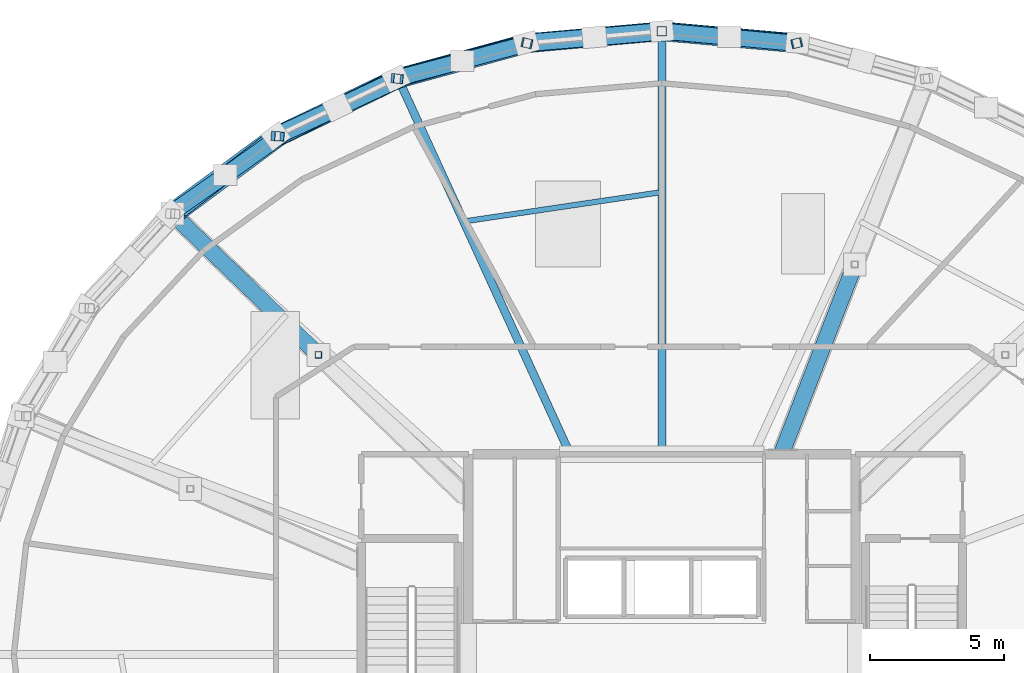
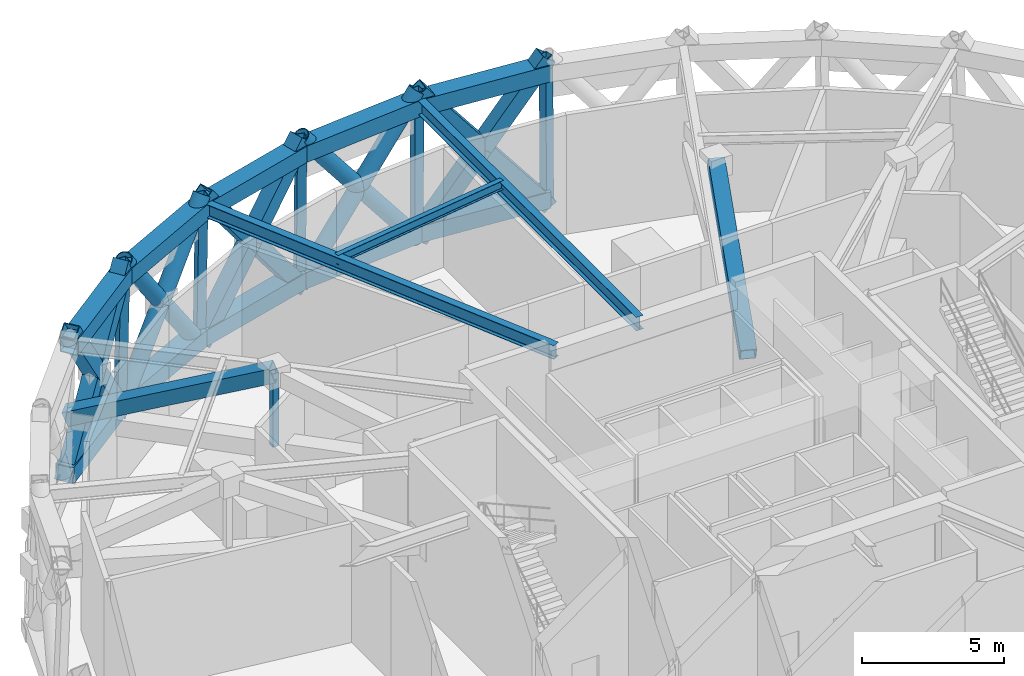
# One storey, part 5 of 15: 23 members, 13 beams.
"""IFC4 building model written with IfcOpenShell, lengths in metres."""

from ifc_helpers import new_model, si_unit, direction, frame, origin, origin_2d, place, context, subcontext, project, spatial, hollow_rectangle, hollow_circle, i_section, extrude, material, material_profile, profile_set, type_object, element, save


model = new_model("IFC4")

# Units and contexts
model_context = context("Model", 3, precision=1e-05, world=origin(), true_north=direction((0.0, 1.0)))
body_context = subcontext(model_context, "Body", "Model", "MODEL_VIEW")
ifc_project = project(units=[si_unit("LENGTHUNIT", "METRE"), si_unit("AREAUNIT", "SQUARE_METRE"), si_unit("VOLUMEUNIT", "CUBIC_METRE"), si_unit("PLANEANGLEUNIT", "RADIAN"), si_unit("MASSUNIT", "GRAM", prefix="KILO")], contexts=[model_context])

# Site, building, storey
site_placement = place(None, origin())
site = spatial("IfcSite", under=ifc_project, at=site_placement, CompositionType="ELEMENT")
building_placement = place(site_placement, origin())
building = spatial("IfcBuilding", under=site, at=building_placement, Name="Veldorina Hangang Commons", CompositionType="ELEMENT")
storey_placement = place(building_placement, frame((0.0, 0.0, 208.39990234375)))
storey = spatial("IfcBuildingStorey", under=building, at=storey_placement, Name="L54", CompositionType="ELEMENT", Elevation=208.39990234375)

# Beams
ifc_material_1 = material(Name="Steel SM460-TMC", Category="steel")
ifc_material_profile_1 = material_profile(ifc_material_1, hollow_rectangle(XDim=0.699951171875, YDim=0.699951171875, WallThickness=0.034912109375, at=origin_2d()), Name="BOX-700x700x35")
ifc_profile_set_1 = profile_set([ifc_material_profile_1], Name="Steel SM460-TMC")
beam_type_1 = type_object("IfcBeamType", Name="BM-BLT700", PredefinedType="BEAM", material=ifc_profile_set_1)
for number, where, z_axis, x_axis, name in (
    (1, (36.9970703125, 46.734619140625, 5.81005859375), (-0.996052778177, 0.088762960103, 0.0), (-0.088762960103, -0.996052778177, 0.0), "L54 perimeter hoop ring beam 07"),
    (2, (32.0, 47.179931640625, 5.81005859375), (-0.996052778177, -0.088762960103, 0.0), (0.088762960103, -0.996052778177, 0.0), "L54 perimeter hoop ring beam 08"),
):
    element("IfcBeam", number, at=place(storey_placement, frame(where, z_axis=z_axis, x_axis=x_axis)), inside=storey, type_object=beam_type_1, Name=name, PredefinedType="BEAM", context=body_context, shape_type="SweptSolid", body=[
        extrude(hollow_rectangle(XDim=0.699951171875, YDim=0.699951171875, WallThickness=0.034912109375, at=origin_2d()), origin(), (0.0, 0.0, 1.0), 5.016845703125),
    ])
beam_1_placement = place(storey_placement, frame((27.0029296875, 46.734619140625, 5.81005859375), z_axis=(-0.964308978563, -0.264779519341, 0.0), x_axis=(0.264779519341, -0.964308978563, 0.0)))
element("IfcBeam", 3, at=beam_1_placement, inside=storey, type_object=beam_type_1, Name="L54 perimeter hoop ring beam 09", PredefinedType="BEAM", context=body_context, shape_type="SweptSolid", body=[
    extrude(hollow_rectangle(XDim=0.699951171875, YDim=0.699951171875, WallThickness=0.034912109375, at=origin_2d()), origin(), (0.0, 0.0, 1.0), 4.982666015625),
])
beam_2_placement = place(storey_placement, frame((22.197998046875, 45.415283203125, 5.81005859375), z_axis=(-0.90022640721, -0.435422112165, 0.0), x_axis=(0.435422112165, -0.90022640721, 0.0)))
element("IfcBeam", 4, at=beam_2_placement, inside=storey, type_object=beam_type_1, Name="L54 perimeter hoop ring beam 10", PredefinedType="BEAM", context=body_context, shape_type="SweptSolid", body=[
    extrude(hollow_rectangle(XDim=0.699951171875, YDim=0.699951171875, WallThickness=0.034912109375, at=origin_2d()), origin(), (0.0, 0.0, 1.0), 4.9189453125),
])
beam_3_placement = place(storey_placement, frame((17.769775390625, 43.2734375, 5.81005859375), z_axis=(-0.802808760637, -0.596236608944, 0.0), x_axis=(0.596236608944, -0.802808760637, 0.0)))
element("IfcBeam", 5, at=beam_3_placement, inside=storey, type_object=beam_type_1, Name="L54 perimeter hoop ring beam 11", PredefinedType="BEAM", context=body_context, shape_type="SweptSolid", body=[
    extrude(hollow_rectangle(XDim=0.699951171875, YDim=0.699951171875, WallThickness=0.034912109375, at=origin_2d()), origin(), (0.0, 0.0, 1.0), 4.8349609375),
])
for number, where, z_axis, x_axis, name in (
    (6, (37.04296875, 46.745361328125, 0.35009765625), (-0.99611966037, 0.088009216701, 0.0), (-0.088009216701, -0.99611966037, 0.0), "L54 perimeter belt truss bottom chord 07"),
    (7, (32.0, 47.19091796875, 0.35009765625), (-0.99611966037, -0.088009216701, 0.0), (0.088009216701, -0.99611966037, 0.0), "L54 perimeter belt truss bottom chord 08"),
):
    element("IfcBeam", number, at=place(storey_placement, frame(where, z_axis=z_axis, x_axis=x_axis)), inside=storey, type_object=beam_type_1, Name=name, PredefinedType="BEAM", context=body_context, shape_type="SweptSolid", body=[
        extrude(hollow_rectangle(XDim=0.699951171875, YDim=0.699951171875, WallThickness=0.034912109375, at=origin_2d()), origin(), (0.0, 0.0, 1.0), 5.0625),
    ])
beam_4_placement = place(storey_placement, frame((26.95703125, 46.745361328125, 0.35009765625), z_axis=(-0.964898224681, -0.262624096396, 0.0), x_axis=(0.262624096396, -0.964898224681, 0.0)))
element("IfcBeam", 8, at=beam_4_placement, inside=storey, type_object=beam_type_1, Name="L54 perimeter belt truss bottom chord 09", PredefinedType="BEAM", context=body_context, shape_type="SweptSolid", body=[
    extrude(hollow_rectangle(XDim=0.699951171875, YDim=0.699951171875, WallThickness=0.034912109375, at=origin_2d()), origin(), (0.0, 0.0, 1.0), 5.025634765625),
])
beam_5_placement = place(storey_placement, frame((22.10791015625, 45.425537109375, 0.35009765625), z_axis=(-0.901684415372, -0.432394744504, 0.0), x_axis=(0.432394744504, -0.901684415372, 0.0)))
element("IfcBeam", 9, at=beam_5_placement, inside=storey, type_object=beam_type_1, Name="L54 perimeter belt truss bottom chord 10", PredefinedType="BEAM", context=body_context, shape_type="SweptSolid", body=[
    extrude(hollow_rectangle(XDim=0.699951171875, YDim=0.699951171875, WallThickness=0.034912109375, at=origin_2d()), origin(), (0.0, 0.0, 1.0), 4.956298828125),
])
beam_6_placement = place(storey_placement, frame((17.638916015625, 43.282470703125, 0.35009765625), z_axis=(-0.805268985683, -0.592909656437, 0.0), x_axis=(0.592909656437, -0.805268985683, 0.0)))
element("IfcBeam", 10, at=beam_6_placement, inside=storey, type_object=beam_type_1, Name="L54 perimeter belt truss bottom chord 11", PredefinedType="BEAM", context=body_context, shape_type="SweptSolid", body=[
    extrude(hollow_rectangle(XDim=0.699951171875, YDim=0.699951171875, WallThickness=0.034912109375, at=origin_2d()), origin(), (0.0, 0.0, 1.0), 4.8642578125),
])
ifc_material_profile_2 = material_profile(ifc_material_1, i_section(OverallWidth=0.300048828125, OverallDepth=0.587890625, WebThickness=0.011962890625, FlangeThickness=0.02001953125, FilletRadius=0.01806640625, at=origin_2d()), Name="H-588x300x12x20")
ifc_profile_set_2 = profile_set([ifc_material_profile_2], Name="Steel SM460-TMC")
beam_type_2 = type_object("IfcBeamType", Name="BM-FG588", PredefinedType="BEAM", material=ifc_profile_set_2)
beam_7_placement = place(storey_placement, frame((32.0, 31.449951171875, 5.8662109375), z_axis=(0.0, 1.0, 0.0), x_axis=(-1.0, 0.0, 0.0)))
element("IfcBeam", 11, at=beam_7_placement, inside=storey, type_object=beam_type_2, Name="L54 radial floor girder 05", PredefinedType="BEAM", context=body_context, shape_type="SweptSolid", body=[
    extrude(i_section(OverallWidth=0.300048828125, OverallDepth=0.587890625, WebThickness=0.011962890625, FlangeThickness=0.02001953125, FilletRadius=0.01806640625, at=origin_2d()), origin(), (0.0, 0.0, 1.0), 15.72998046875),
])
beam_8_placement = place(storey_placement, frame((28.590087890625, 31.449951171875, 5.8662109375), z_axis=(-0.416187219307, 0.909278944266, 0.0), x_axis=(-0.909278944266, -0.416187219307, 0.0)))
element("IfcBeam", 12, at=beam_8_placement, inside=storey, type_object=beam_type_2, Name="L54 radial floor girder 06", PredefinedType="BEAM", context=body_context, shape_type="SweptSolid", body=[
    extrude(i_section(OverallWidth=0.300048828125, OverallDepth=0.587890625, WebThickness=0.011962890625, FlangeThickness=0.02001953125, FilletRadius=0.01806640625, at=origin_2d()), origin(), (0.0, 0.0, 1.0), 15.358642578125),
])
ifc_material_2 = material(Name="Steel SM355-TMC", Category="steel")
ifc_material_profile_3 = material_profile(ifc_material_2, i_section(OverallWidth=0.199951171875, OverallDepth=0.39990234375, WebThickness=0.008056640625, FlangeThickness=0.012939453125, FilletRadius=0.012939453125, at=origin_2d()), Name="H-400x200x8x13")
ifc_profile_set_3 = profile_set([ifc_material_profile_3], Name="Steel SM355-TMC")
beam_type_3 = type_object("IfcBeamType", Name="BM-JST400", PredefinedType="JOIST", material=ifc_profile_set_3)
beam_9_placement = place(storey_placement, frame((32.0, 41.202392578125, 5.960205078125), z_axis=(-0.98917055156, -0.146770637137, 0.0), x_axis=(0.146770637137, -0.98917055156, 0.0)))
element("IfcBeam", 13, at=beam_9_placement, inside=storey, type_object=beam_type_3, Name="L54 secondary floor joist 05", PredefinedType="JOIST", context=body_context, shape_type="SweptSolid", body=[
    extrude(i_section(OverallWidth=0.199951171875, OverallDepth=0.39990234375, WebThickness=0.008056640625, FlangeThickness=0.012939453125, FilletRadius=0.012939453125, at=origin_2d()), origin(), (0.0, 0.0, 1.0), 7.453857421875),
])

# Members
ifc_material_profile_4 = material_profile(ifc_material_1, hollow_circle(Radius=0.324951171875, WallThickness=0.031982421875, at=origin_2d()), Name="CHS-650x32")
ifc_profile_set_4 = profile_set([ifc_material_profile_4], Name="Steel SM460-TMC")
member_type_1 = type_object("IfcMemberType", Name="DG-CHS650", PredefinedType="BRACE", material=ifc_profile_set_4)
member_1_placement = place(storey_placement, frame((32.0, 47.19091796875, 0.0), z_axis=(-0.614081397702, -0.056276030089, 0.787233793376), x_axis=(0.091260205848, -0.995827080787, 0.0)))
element("IfcMember", 14, at=member_1_placement, inside=storey, type_object=member_type_1, Name="L54 continuous perimeter diagrid brace 08", PredefinedType="BRACE", context=body_context, shape_type="SweptSolid", body=[
    extrude(hollow_circle(Radius=0.324951171875, WallThickness=0.031982421875, at=origin_2d()), origin(), (0.0, 0.0, 1.0), 8.1298828125),
])
member_2_placement = place(storey_placement, frame((26.95703125, 46.745361328125, 0.0), z_axis=(0.618063003245, 0.052577035825, 0.784368395159), x_axis=(-0.084761303942, 0.996401285303, 0.0)))
element("IfcMember", 15, at=member_2_placement, inside=storey, type_object=member_type_1, Name="L54 split perimeter diagrid lower brace 09", PredefinedType="BRACE", context=body_context, shape_type="SweptSolid", body=[
    extrude(hollow_circle(Radius=0.324951171875, WallThickness=0.031982421875, at=origin_2d()), origin(), (0.0, 0.0, 1.0), 4.10009765625),
])
member_3_placement = place(storey_placement, frame((29.4912109375, 46.9609375, 3.216064453125), z_axis=(0.617999087535, 0.053644918848, 0.784346447998), x_axis=(-0.086479007054, 0.996253673187, 0.0)))
element("IfcMember", 16, at=member_3_placement, inside=storey, type_object=member_type_1, Name="L54 split perimeter diagrid upper brace 09", PredefinedType="BRACE", context=body_context, shape_type="SweptSolid", body=[
    extrude(hollow_circle(Radius=0.324951171875, WallThickness=0.031982421875, at=origin_2d()), origin(), (0.0, 0.0, 1.0), 4.0595703125),
])
member_4_placement = place(storey_placement, frame((22.10791015625, 45.425537109375, 0.0), z_axis=(-0.5393444537, -0.268500069838, 0.798132365438), x_axis=(0.445656481196, -0.895204055379, 0.0)))
element("IfcMember", 17, at=member_4_placement, inside=storey, type_object=member_type_1, Name="L54 continuous perimeter diagrid brace 10", PredefinedType="BRACE", context=body_context, shape_type="SweptSolid", body=[
    extrude(hollow_circle(Radius=0.324951171875, WallThickness=0.031982421875, at=origin_2d()), origin(), (0.0, 0.0, 1.0), 8.018798828125),
])
member_5_placement = place(storey_placement, frame((17.638916015625, 43.282470703125, 0.0), z_axis=(0.56168544063, 0.259625084129, 0.785559852255), x_axis=(-0.419571900685, 0.907722105138, 0.0)))
element("IfcMember", 18, at=member_5_placement, inside=storey, type_object=member_type_1, Name="L54 split perimeter diagrid lower brace 11", PredefinedType="BRACE", context=body_context, shape_type="SweptSolid", body=[
    extrude(hollow_circle(Radius=0.324951171875, WallThickness=0.031982421875, at=origin_2d()), origin(), (0.0, 0.0, 1.0), 4.090576171875),
])
member_6_placement = place(storey_placement, frame((19.9365234375, 44.344482421875, 3.21337890625), z_axis=(0.559720471437, 0.263730656542, 0.78559476491), x_axis=(-0.426237318841, 0.904611379559, 0.0)))
element("IfcMember", 19, at=member_6_placement, inside=storey, type_object=member_type_1, Name="L54 split perimeter diagrid upper brace 11", PredefinedType="BRACE", context=body_context, shape_type="SweptSolid", body=[
    extrude(hollow_circle(Radius=0.324951171875, WallThickness=0.031982421875, at=origin_2d()), origin(), (0.0, 0.0, 1.0), 4.056396484375),
])
ifc_material_profile_5 = material_profile(ifc_material_1, hollow_rectangle(XDim=0.60009765625, YDim=0.60009765625, WallThickness=0.030029296875, at=origin_2d()), Name="BOX-600x600x30")
ifc_profile_set_5 = profile_set([ifc_material_profile_5], Name="Steel SM460-TMC")
member_type_2 = type_object("IfcMemberType", Name="OR-BOX600", PredefinedType="BRACE", material=ifc_profile_set_5)
member_7_placement = place(storey_placement, frame((37.04296875, 46.745361328125, 0.0), z_axis=(-0.61803129309, 0.053108324227, 0.784357588514), x_axis=(-0.085615926733, -0.996328215544, 0.0)))
element("IfcMember", 20, at=member_7_placement, inside=storey, type_object=member_type_2, Name="L54 belt truss continuous brace 07", PredefinedType="BRACE", context=body_context, shape_type="SweptSolid", body=[
    extrude(hollow_rectangle(XDim=0.60009765625, YDim=0.60009765625, WallThickness=0.030029296875, at=origin_2d()), origin(), (0.0, 0.0, 1.0), 8.15966796875),
])
member_8_placement = place(storey_placement, frame((32.0, 47.19091796875, 0.0), z_axis=(0.614114387902, -0.055757952891, 0.7872449233), x_axis=(0.090422147795, 0.995903527049, 0.0)))
element("IfcMember", 21, at=member_8_placement, inside=storey, type_object=member_type_2, Name="L54 belt truss split lower brace 08", PredefinedType="BRACE", context=body_context, shape_type="SweptSolid", body=[
    extrude(hollow_rectangle(XDim=0.60009765625, YDim=0.60009765625, WallThickness=0.030029296875, at=origin_2d()), origin(), (0.0, 0.0, 1.0), 4.085205078125),
])
member_9_placement = place(storey_placement, frame((34.5087890625, 46.963134765625, 3.216064453125), z_axis=(0.614047909027, -0.056799280684, 0.787222336531), x_axis=(0.092106552289, 0.995749156678, 0.0)))
element("IfcMember", 22, at=member_9_placement, inside=storey, type_object=member_type_2, Name="L54 belt truss split upper brace 08", PredefinedType="BRACE", context=body_context, shape_type="SweptSolid", body=[
    extrude(hollow_rectangle(XDim=0.60009765625, YDim=0.60009765625, WallThickness=0.030029296875, at=origin_2d()), origin(), (0.0, 0.0, 1.0), 4.044677734375),
])
member_10_placement = place(storey_placement, frame((26.95703125, 46.745361328125, 0.0), z_axis=(-0.587827702988, -0.164722277791, 0.792038611937), x_axis=(0.269828179907, -0.962908486476, 0.0)))
element("IfcMember", 23, at=member_10_placement, inside=storey, type_object=member_type_2, Name="L54 belt truss continuous brace 09", PredefinedType="BRACE", context=body_context, shape_type="SweptSolid", body=[
    extrude(hollow_rectangle(XDim=0.60009765625, YDim=0.60009765625, WallThickness=0.030029296875, at=origin_2d()), origin(), (0.0, 0.0, 1.0), 8.08056640625),
])
member_11_placement = place(storey_placement, frame((22.10791015625, 45.425537109375, 0.0), z_axis=(0.60040897796, 0.158732230791, 0.783781307568), x_axis=(-0.255592259436, 0.966784669364, 0.0)))
element("IfcMember", 24, at=member_11_placement, inside=storey, type_object=member_type_2, Name="L54 belt truss split lower brace 10", PredefinedType="BRACE", context=body_context, shape_type="SweptSolid", body=[
    extrude(hollow_rectangle(XDim=0.60009765625, YDim=0.60009765625, WallThickness=0.030029296875, at=origin_2d()), origin(), (0.0, 0.0, 1.0), 4.10205078125),
])
member_12_placement = place(storey_placement, frame((24.57080078125, 46.07666015625, 3.215087890625), z_axis=(0.599641098369, 0.161610515441, 0.783780960758), x_axis=(-0.260226719378, 0.965547541306, 0.0)))
element("IfcMember", 25, at=member_12_placement, inside=storey, type_object=member_type_2, Name="L54 belt truss split upper brace 10", PredefinedType="BRACE", context=body_context, shape_type="SweptSolid", body=[
    extrude(hollow_rectangle(XDim=0.60009765625, YDim=0.60009765625, WallThickness=0.030029296875, at=origin_2d()), origin(), (0.0, 0.0, 1.0), 4.063720703125),
])
member_13_placement = place(storey_placement, frame((17.638916015625, 43.282470703125, 0.0), z_axis=(-0.469417739932, -0.363649887715, 0.804615277385), x_axis=(0.612415031347, -0.790536418756, 0.0)))
element("IfcMember", 26, at=member_13_placement, inside=storey, type_object=member_type_2, Name="L54 belt truss continuous brace 11", PredefinedType="BRACE", context=body_context, shape_type="SweptSolid", body=[
    extrude(hollow_rectangle(XDim=0.60009765625, YDim=0.60009765625, WallThickness=0.030029296875, at=origin_2d()), origin(), (0.0, 0.0, 1.0), 7.954345703125),
])
member_14_placement = place(storey_placement, frame((13.721923828125, 40.3984375, 0.0), z_axis=(0.502585524355, 0.352326139804, 0.78947709398), x_axis=(-0.574026729325, 0.818836561238, 0.0)))
element("IfcMember", 27, at=member_14_placement, inside=storey, type_object=member_type_2, Name="L54 belt truss split lower brace 12", PredefinedType="BRACE", context=body_context, shape_type="SweptSolid", body=[
    extrude(hollow_rectangle(XDim=0.60009765625, YDim=0.60009765625, WallThickness=0.030029296875, at=origin_2d()), origin(), (0.0, 0.0, 1.0), 4.06689453125),
])
member_15_placement = place(storey_placement, frame((15.765869140625, 41.831298828125, 3.210693359375), z_axis=(0.499331508855, 0.35676033609, 0.789550572704), x_axis=(-0.581340663874, 0.813660268495, 0.0)))
element("IfcMember", 28, at=member_15_placement, inside=storey, type_object=member_type_2, Name="L54 belt truss split upper brace 12", PredefinedType="BRACE", context=body_context, shape_type="SweptSolid", body=[
    extrude(hollow_rectangle(XDim=0.60009765625, YDim=0.60009765625, WallThickness=0.030029296875, at=origin_2d()), origin(), (0.0, 0.0, 1.0), 4.03955078125),
])
member_16_placement = place(storey_placement, frame((36.5, 31.60009765625, 2.85009765625), z_axis=(0.331969168742, 0.85785221876, 0.392283114309), x_axis=(-0.93260566472, 0.360897040902, 0.0)))
element("IfcMember", 29, at=member_16_placement, inside=storey, type_object=member_type_2, Name="L54 outrigger inner web diagonal 02", PredefinedType="BRACE", context=body_context, shape_type="SweptSolid", body=[
    extrude(hollow_rectangle(XDim=0.60009765625, YDim=0.60009765625, WallThickness=0.030029296875, at=origin_2d()), origin(), (0.0, 0.0, 1.0), 8.05517578125),
])
member_17_placement = place(storey_placement, frame((19.226806640625, 35.147216796875, 6.010009765625), z_axis=(-0.662903054795, 0.641387204318, -0.386240849834), x_axis=(-0.695347592496, -0.718673587666, 0.0)))
element("IfcMember", 30, at=member_17_placement, inside=storey, type_object=member_type_2, Name="L54 outrigger outer web diagonal 03", PredefinedType="BRACE", context=body_context, shape_type="SweptSolid", body=[
    extrude(hollow_rectangle(XDim=0.60009765625, YDim=0.60009765625, WallThickness=0.030029296875, at=origin_2d()), origin(), (0.0, 0.0, 1.0), 8.18115234375),
])
ifc_material_profile_6 = material_profile(ifc_material_2, hollow_rectangle(XDim=0.25, YDim=0.25, WallThickness=0.011962890625, at=origin_2d()), Name="SHS-250x250x12")
ifc_profile_set_6 = profile_set([ifc_material_profile_6], Name="Steel SM355-TMC")
member_type_3 = type_object("IfcMemberType", Name="STR-SHS250", PredefinedType="STRUT", material=ifc_profile_set_6)
member_18_placement = place(storey_placement, frame((19.226806640625, 35.147216796875, 2.85009765625), z_axis=(0.0, 0.0, 1.0), x_axis=(1.0, 0.0, 0.0)))
element("IfcMember", 31, at=member_18_placement, inside=storey, type_object=member_type_3, Name="L54 outrigger mid vertical strut 03", PredefinedType="STRUT", context=body_context, shape_type="SweptSolid", body=[
    extrude(hollow_rectangle(XDim=0.25, YDim=0.25, WallThickness=0.011962890625, at=origin_2d()), origin(), (0.0, 0.0, 1.0), 3.159912109375),
])
ifc_material_profile_7 = material_profile(ifc_material_2, hollow_rectangle(XDim=0.35009765625, YDim=0.35009765625, WallThickness=0.01611328125, at=origin_2d()), Name="SHS-350x350x16")
ifc_profile_set_7 = profile_set([ifc_material_profile_7], Name="Steel SM355-TMC")
member_type_4 = type_object("IfcMemberType", Name="STR-SHS350", PredefinedType="STRUT", material=ifc_profile_set_7)
member_19_placement = place(storey_placement, frame((37.04296875, 46.745361328125, 0.0), z_axis=(-0.00789598266, -0.001869097345, 0.999967079425), x_axis=(0.230349242414, -0.973108024075, 0.0)))
element("IfcMember", 32, at=member_19_placement, inside=storey, type_object=member_type_4, Name="L54 perimeter ring node post 07", PredefinedType="STRUT", context=body_context, shape_type="SweptSolid", body=[
    extrude(hollow_rectangle(XDim=0.35009765625, YDim=0.35009765625, WallThickness=0.01611328125, at=origin_2d()), origin(), (0.0, 0.0, 1.0), 6.400390625),
])
member_20_placement = place(storey_placement, frame((32.0, 47.19091796875, 0.0), z_axis=(0.0, -0.001907301509, 0.999998181099), x_axis=(1.0, 0.0, 0.0)))
element("IfcMember", 33, at=member_20_placement, inside=storey, type_object=member_type_4, Name="L54 perimeter ring node post 08", PredefinedType="STRUT", context=body_context, shape_type="SweptSolid", body=[
    extrude(hollow_rectangle(XDim=0.35009765625, YDim=0.35009765625, WallThickness=0.01611328125, at=origin_2d()), origin(), (0.0, 0.0, 1.0), 6.400146484375),
])
member_21_placement = place(storey_placement, frame((26.95703125, 46.745361328125, 0.0), z_axis=(0.00789598266, -0.001869097345, 0.999967079425), x_axis=(0.230349242414, 0.973108024075, 0.0)))
element("IfcMember", 34, at=member_21_placement, inside=storey, type_object=member_type_4, Name="L54 perimeter ring node post 09", PredefinedType="STRUT", context=body_context, shape_type="SweptSolid", body=[
    extrude(hollow_rectangle(XDim=0.35009765625, YDim=0.35009765625, WallThickness=0.01611328125, at=origin_2d()), origin(), (0.0, 0.0, 1.0), 6.400390625),
])
member_22_placement = place(storey_placement, frame((22.10791015625, 45.425537109375, 0.0), z_axis=(0.015485435551, -0.001754507476, 0.99987855412), x_axis=(0.112580200727, 0.993642641197, 0.0)))
element("IfcMember", 35, at=member_22_placement, inside=storey, type_object=member_type_4, Name="L54 perimeter ring node post 10", PredefinedType="STRUT", context=body_context, shape_type="SweptSolid", body=[
    extrude(hollow_rectangle(XDim=0.35009765625, YDim=0.35009765625, WallThickness=0.01611328125, at=origin_2d()), origin(), (0.0, 0.0, 1.0), 6.40087890625),
])
member_23_placement = place(storey_placement, frame((17.638916015625, 43.282470703125, 0.0), z_axis=(0.02250047338, -0.001563592218, 0.999745609581), x_axis=(0.069324340897, 0.99759417388, 0.0)))
element("IfcMember", 36, at=member_23_placement, inside=storey, type_object=member_type_4, Name="L54 perimeter ring node post 11", PredefinedType="STRUT", context=body_context, shape_type="SweptSolid", body=[
    extrude(hollow_rectangle(XDim=0.35009765625, YDim=0.35009765625, WallThickness=0.01611328125, at=origin_2d()), origin(), (0.0, 0.0, 1.0), 6.40185546875),
])

save(model, "model.ifc")
